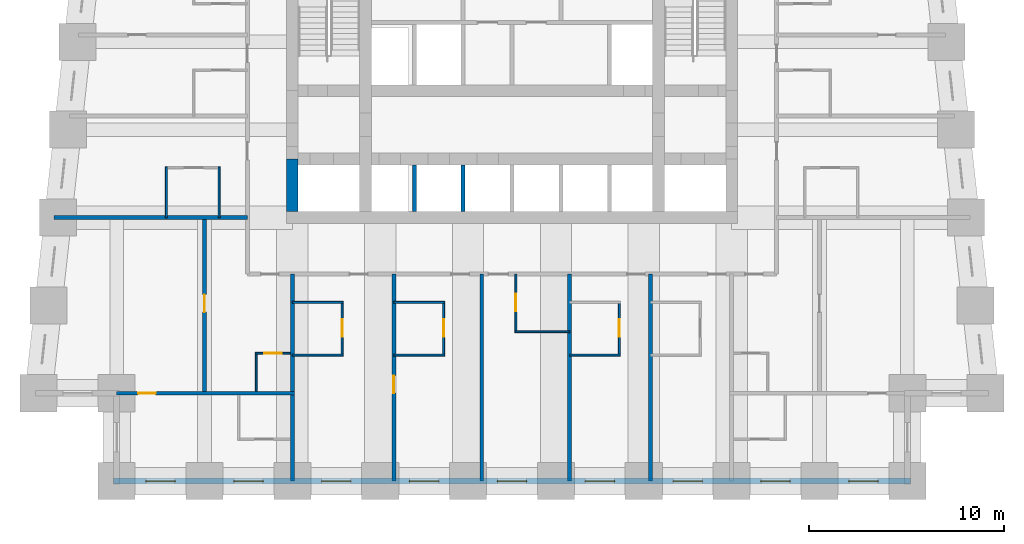
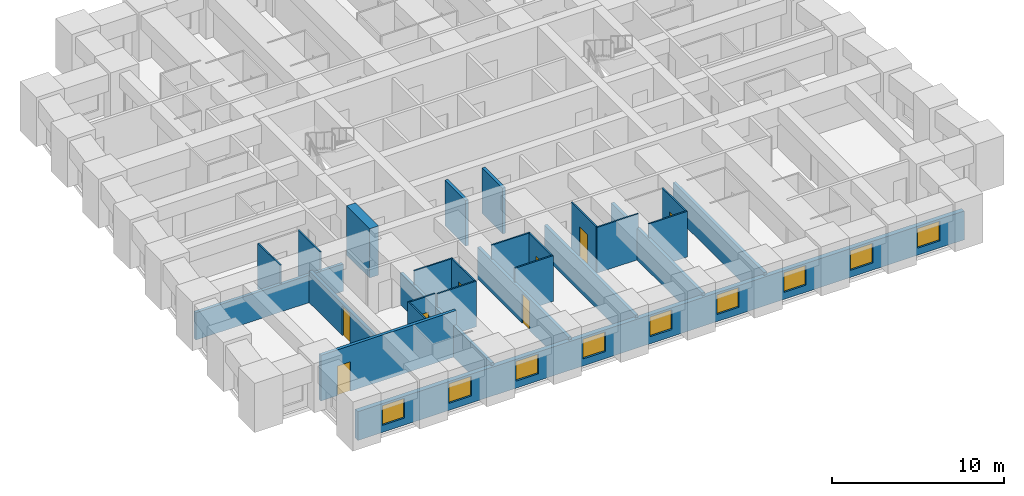
# One storey, part 2 of 8: 26 walls, 9 windows, 8 doors, 17 openings.
"""IFC4 building model written with IfcOpenShell, lengths in metres."""

from ifc_helpers import new_model, si_unit, direction, frame, frame_2d, origin, place, context, subcontext, project, spatial, rectangle, extrude, material, layer, layer_set, type_object, element, fill, save


model = new_model("IFC4")

# Units and contexts
model_context = context("Model", 3, precision=1e-05, world=origin(), true_north=direction((0.0, 1.0)))
body_context = subcontext(model_context, "Body", "Model", "MODEL_VIEW")
ifc_project = project(units=[si_unit("LENGTHUNIT", "METRE"), si_unit("AREAUNIT", "SQUARE_METRE"), si_unit("VOLUMEUNIT", "CUBIC_METRE"), si_unit("PLANEANGLEUNIT", "RADIAN"), si_unit("MASSUNIT", "GRAM", prefix="KILO")], contexts=[model_context])

# Site, building, storey
site_placement = place(None, origin())
site = spatial("IfcSite", under=ifc_project, at=site_placement, CompositionType="ELEMENT")
building_placement = place(site_placement, origin())
building = spatial("IfcBuilding", under=site, at=building_placement, Name="Kilele Tower Hotel", CompositionType="ELEMENT")
storey_placement = place(building_placement, frame((0.0, 0.0, 47.199951171875)))
storey = spatial("IfcBuildingStorey", under=building, at=storey_placement, Name="L10", CompositionType="ELEMENT", Elevation=47.199951171875)

# Walls
ifc_material_1 = material(Name="Moisture-resistant board")
ifc_layer_1 = layer(ifc_material_1, 0.10009765625)
ifc_layer_set_1 = layer_set([ifc_layer_1], Name="Moisture-resistant board")
wall_type_1 = type_object("IfcWallType", Name="Bathroom partition 100", PredefinedType="PLUMBINGWALL", material=ifc_layer_set_1)
for number, where, z_axis, x_axis, name in (
    (1, (13.5, 9.14990234375, 0.0), (0.0, 0.0, 1.0), (1.0, 0.0, 0.0), "Bathroom partition 100 L10"),
    (2, (13.5, 6.449951171875, 0.0), (0.0, 0.0, 1.0), (1.0, 0.0, 0.0), "Bathroom partition 100 L10"),
):
    element("IfcWall", number, at=place(storey_placement, frame(where, z_axis=z_axis, x_axis=x_axis)), inside=storey, type_object=wall_type_1, Name=name, PredefinedType="PLUMBINGWALL", context=body_context, shape_type="SweptSolid", body=[
        extrude(rectangle(XDim=2.60009765625, YDim=0.10009765625, at=frame_2d((1.300048828125, 0.0))), origin(), (0.0, 0.0, 1.0), 3.25),
    ])

# Wall, opening, door
wall_1_placement = place(storey_placement, frame((16.050048828125, 9.199951171875, 0.0), z_axis=(0.0, 0.0, 1.0), x_axis=(0.0, -1.0, 0.0)))
wall_1 = element("IfcWall", 3, at=wall_1_placement, inside=storey, type_object=wall_type_1, Name="Bathroom partition 100 L10", PredefinedType="PLUMBINGWALL", context=body_context, shape_type="SweptSolid", body=[
    extrude(rectangle(XDim=2.800048828125, YDim=0.10009765625, at=frame_2d((1.39990234375, 0.0))), origin(), (0.0, 0.0, 1.0), 3.25),
])
opening_1_placement = place(wall_1_placement, frame((0.89990234375, 0.0, 0.0)))
opening_1 = element("IfcOpeningElement", 4, at=opening_1_placement, cuts=wall_1, Name="Opening D2A", PredefinedType="OPENING", context=body_context, shape_type="SweptSolid", body=[
    extrude(rectangle(XDim=0.89990234375, YDim=2.10009765625, at=frame_2d((0.449951171875, 1.050048828125))), frame((0.0, 0.06005859375, 0.0), z_axis=(0.0, -1.0, 0.0), x_axis=(1.0, 0.0, 0.0)), (0.0, 0.0, 1.0), 0.1201171875),
])
ifc_material_2 = material(Name="Timber door leaf in hardwood frame", Category="wood")
door_type_1 = type_object("IfcDoorType", Name="Bathroom door 900", OperationType="SINGLE_SWING_LEFT", PredefinedType="DOOR", material=ifc_material_2)
door_1_placement = place(opening_1_placement, origin())
door_1 = element("IfcDoor", 5, at=door_1_placement, inside=storey, type_object=door_type_1, Name="Bathroom door 1001B", OperationType="SINGLE_SWING_LEFT", OverallHeight=2.10009765625, OverallWidth=0.89990234375, PredefinedType="DOOR", context=body_context, shape_type="SweptSolid", body=[
    extrude(rectangle(XDim=0.89990234375, YDim=2.10009765625, at=frame_2d((0.449951171875, 1.050048828125))), frame((0.0, 0.02490234375, 0.0), z_axis=(0.0, -1.0, 0.0), x_axis=(1.0, 0.0, 0.0)), (0.0, 0.0, 1.0), 0.050048828125),
])
fill(opening_1, door_1)

# Walls
for number, where, z_axis, x_axis, name in (
    (6, (18.699951171875, 9.14990234375, 0.0), (0.0, 0.0, 1.0), (1.0, 0.0, 0.0), "Bathroom partition 100 L10"),
    (7, (18.699951171875, 6.449951171875, 0.0), (0.0, 0.0, 1.0), (1.0, 0.0, 0.0), "Bathroom partition 100 L10"),
):
    element("IfcWall", number, at=place(storey_placement, frame(where, z_axis=z_axis, x_axis=x_axis)), inside=storey, type_object=wall_type_1, Name=name, PredefinedType="PLUMBINGWALL", context=body_context, shape_type="SweptSolid", body=[
        extrude(rectangle(XDim=2.60009765625, YDim=0.10009765625, at=frame_2d((1.300048828125, 0.0))), origin(), (0.0, 0.0, 1.0), 3.25),
    ])

# Wall, opening, door
wall_2_placement = place(storey_placement, frame((21.25, 9.199951171875, 0.0), z_axis=(0.0, 0.0, 1.0), x_axis=(0.0, -1.0, 0.0)))
wall_2 = element("IfcWall", 8, at=wall_2_placement, inside=storey, type_object=wall_type_1, Name="Bathroom partition 100 L10", PredefinedType="PLUMBINGWALL", context=body_context, shape_type="SweptSolid", body=[
    extrude(rectangle(XDim=2.800048828125, YDim=0.10009765625, at=frame_2d((1.39990234375, 0.0))), origin(), (0.0, 0.0, 1.0), 3.25),
])
opening_2_placement = place(wall_2_placement, frame((0.89990234375, 0.0, 0.0)))
opening_2 = element("IfcOpeningElement", 9, at=opening_2_placement, cuts=wall_2, Name="Opening D2A", PredefinedType="OPENING", context=body_context, shape_type="SweptSolid", body=[
    extrude(rectangle(XDim=0.89990234375, YDim=2.10009765625, at=frame_2d((0.449951171875, 1.050048828125))), frame((0.0, 0.06005859375, 0.0), z_axis=(0.0, -1.0, 0.0), x_axis=(1.0, 0.0, 0.0)), (0.0, 0.0, 1.0), 0.1201171875),
])
door_2_placement = place(opening_2_placement, origin())
door_2 = element("IfcDoor", 10, at=door_2_placement, inside=storey, type_object=door_type_1, Name="Bathroom door 1002B", OperationType="SINGLE_SWING_LEFT", OverallHeight=2.10009765625, OverallWidth=0.89990234375, PredefinedType="DOOR", context=body_context, shape_type="SweptSolid", body=[
    extrude(rectangle(XDim=0.89990234375, YDim=2.10009765625, at=frame_2d((0.449951171875, 1.050048828125))), frame((0.0, 0.02490234375, 0.0), z_axis=(0.0, -1.0, 0.0), x_axis=(1.0, 0.0, 0.0)), (0.0, 0.0, 1.0), 0.050048828125),
])
fill(opening_2, door_2)

# Wall
wall_3_placement = place(storey_placement, frame((24.89990234375, 7.64990234375, 0.0), z_axis=(0.0, 0.0, 1.0), x_axis=(1.0, 0.0, 0.0)))
element("IfcWall", 11, at=wall_3_placement, inside=storey, type_object=wall_type_1, Name="Bathroom partition 100 L10", PredefinedType="PLUMBINGWALL", context=body_context, shape_type="SweptSolid", body=[
    extrude(rectangle(XDim=2.800048828125, YDim=0.10009765625, at=frame_2d((1.39990234375, 0.0))), origin(), (0.0, 0.0, 1.0), 3.25),
])

# Wall, opening, door
wall_4_placement = place(storey_placement, frame((24.949951171875, 10.60009765625, 0.0), z_axis=(0.0, 0.0, 1.0), x_axis=(0.0, -1.0, 0.0)))
wall_4 = element("IfcWall", 12, at=wall_4_placement, inside=storey, type_object=wall_type_1, Name="Bathroom partition 100 L10", PredefinedType="PLUMBINGWALL", context=body_context, shape_type="SweptSolid", body=[
    extrude(rectangle(XDim=3.0, YDim=0.10009765625, at=frame_2d((1.5, 0.0))), origin(), (0.0, 0.0, 1.0), 3.25),
])
opening_3_placement = place(wall_4_placement, frame((1.89990234375, 0.0, 0.0), z_axis=(0.0, 0.0, 1.0), x_axis=(-1.0, 0.0, 0.0)))
opening_3 = element("IfcOpeningElement", 13, at=opening_3_placement, cuts=wall_4, Name="Opening D2A", PredefinedType="OPENING", context=body_context, shape_type="SweptSolid", body=[
    extrude(rectangle(XDim=0.89990234375, YDim=2.10009765625, at=frame_2d((0.449951171875, 1.050048828125))), frame((0.0, 0.06005859375, 0.0), z_axis=(0.0, -1.0, 0.0), x_axis=(1.0, 0.0, 0.0)), (0.0, 0.0, 1.0), 0.1201171875),
])
door_3_placement = place(opening_3_placement, origin())
door_3 = element("IfcDoor", 14, at=door_3_placement, inside=storey, type_object=door_type_1, Name="Bathroom door 1003B", OperationType="SINGLE_SWING_RIGHT", OverallHeight=2.10009765625, OverallWidth=0.89990234375, PredefinedType="DOOR", context=body_context, shape_type="SweptSolid", body=[
    extrude(rectangle(XDim=0.89990234375, YDim=2.10009765625, at=frame_2d((0.449951171875, 1.050048828125))), frame((0.0, 0.02490234375, 0.0), z_axis=(0.0, -1.0, 0.0), x_axis=(1.0, 0.0, 0.0)), (0.0, 0.0, 1.0), 0.050048828125),
])
fill(opening_3, door_3)

# Wall
wall_5_placement = place(storey_placement, frame((27.699951171875, 6.449951171875, 0.0), z_axis=(0.0, 0.0, 1.0), x_axis=(1.0, 0.0, 0.0)))
element("IfcWall", 15, at=wall_5_placement, inside=storey, type_object=wall_type_1, Name="Bathroom partition 100 L10", PredefinedType="PLUMBINGWALL", context=body_context, shape_type="SweptSolid", body=[
    extrude(rectangle(XDim=2.60009765625, YDim=0.10009765625, at=frame_2d((1.300048828125, 0.0))), origin(), (0.0, 0.0, 1.0), 3.25),
])

# Wall, opening, door
wall_6_placement = place(storey_placement, frame((30.25, 9.199951171875, 0.0), z_axis=(0.0, 0.0, 1.0), x_axis=(0.0, -1.0, 0.0)))
wall_6 = element("IfcWall", 16, at=wall_6_placement, inside=storey, type_object=wall_type_1, Name="Bathroom partition 100 L10", PredefinedType="PLUMBINGWALL", context=body_context, shape_type="SweptSolid", body=[
    extrude(rectangle(XDim=2.800048828125, YDim=0.10009765625, at=frame_2d((1.39990234375, 0.0))), origin(), (0.0, 0.0, 1.0), 3.25),
])
opening_4_placement = place(wall_6_placement, frame((0.89990234375, 0.0, 0.0)))
opening_4 = element("IfcOpeningElement", 17, at=opening_4_placement, cuts=wall_6, Name="Opening D2A", PredefinedType="OPENING", context=body_context, shape_type="SweptSolid", body=[
    extrude(rectangle(XDim=0.89990234375, YDim=2.10009765625, at=frame_2d((0.449951171875, 1.050048828125))), frame((0.0, 0.06005859375, 0.0), z_axis=(0.0, -1.0, 0.0), x_axis=(1.0, 0.0, 0.0)), (0.0, 0.0, 1.0), 0.1201171875),
])
door_4_placement = place(opening_4_placement, origin())
door_4 = element("IfcDoor", 18, at=door_4_placement, inside=storey, type_object=door_type_1, Name="Bathroom door 1004B", OperationType="SINGLE_SWING_LEFT", OverallHeight=2.10009765625, OverallWidth=0.89990234375, PredefinedType="DOOR", context=body_context, shape_type="SweptSolid", body=[
    extrude(rectangle(XDim=0.89990234375, YDim=2.10009765625, at=frame_2d((0.449951171875, 1.050048828125))), frame((0.0, 0.02490234375, 0.0), z_axis=(0.0, -1.0, 0.0), x_axis=(1.0, 0.0, 0.0)), (0.0, 0.0, 1.0), 0.050048828125),
])
fill(opening_4, door_4)

# Walls
for number, where, z_axis, x_axis, name in (
    (19, (9.75, 13.5, 0.0), (0.0, 0.0, 1.0), (0.0, 1.0, 0.0), "Bathroom partition 100 L10"),
    (20, (7.050048828125, 13.5, 0.0), (0.0, 0.0, 1.0), (0.0, 1.0, 0.0), "Bathroom partition 100 L10"),
):
    element("IfcWall", number, at=place(storey_placement, frame(where, z_axis=z_axis, x_axis=x_axis)), inside=storey, type_object=wall_type_1, Name=name, PredefinedType="PLUMBINGWALL", context=body_context, shape_type="SweptSolid", body=[
        extrude(rectangle(XDim=2.60009765625, YDim=0.10009765625, at=frame_2d((1.300048828125, 0.0))), origin(), (0.0, 0.0, 1.0), 3.25),
    ])
wall_7_placement = place(storey_placement, frame((11.64990234375, 4.60009765625, 0.0), z_axis=(0.0, 0.0, 1.0), x_axis=(0.0, 1.0, 0.0)))
element("IfcWall", 21, at=wall_7_placement, inside=storey, type_object=wall_type_1, Name="Bathroom partition 100 L10", PredefinedType="PLUMBINGWALL", context=body_context, shape_type="SweptSolid", body=[
    extrude(rectangle(XDim=2.0, YDim=0.10009765625, at=frame_2d((1.0, 0.0))), origin(), (0.0, 0.0, 1.0), 3.25),
])

# Wall, opening, door
wall_8_placement = place(storey_placement, frame((13.39990234375, 6.550048828125, 0.0), z_axis=(0.0, 0.0, 1.0), x_axis=(-1.0, 0.0, 0.0)))
wall_8 = element("IfcWall", 22, at=wall_8_placement, inside=storey, type_object=wall_type_1, Name="Bathroom partition 100 L10", PredefinedType="PLUMBINGWALL", context=body_context, shape_type="SweptSolid", body=[
    extrude(rectangle(XDim=1.7998046875, YDim=0.10009765625, at=frame_2d((0.89990234375, 0.0))), origin(), (0.0, 0.0, 1.0), 3.25),
])
opening_5_placement = place(wall_8_placement, frame((1.349853515625, 0.0, 0.0), z_axis=(0.0, 0.0, 1.0), x_axis=(-1.0, 0.0, 0.0)))
opening_5 = element("IfcOpeningElement", 23, at=opening_5_placement, cuts=wall_8, Name="Opening D2A", PredefinedType="OPENING", context=body_context, shape_type="SweptSolid", body=[
    extrude(rectangle(XDim=0.89990234375, YDim=2.10009765625, at=frame_2d((0.449951171875, 1.050048828125))), frame((0.0, 0.06005859375, 0.0), z_axis=(0.0, -1.0, 0.0), x_axis=(1.0, 0.0, 0.0)), (0.0, 0.0, 1.0), 0.1201171875),
])
door_5_placement = place(opening_5_placement, origin())
door_5 = element("IfcDoor", 24, at=door_5_placement, inside=storey, type_object=door_type_1, Name="Bathroom door 1017P", OperationType="SINGLE_SWING_RIGHT", OverallHeight=2.10009765625, OverallWidth=0.89990234375, PredefinedType="DOOR", context=body_context, shape_type="SweptSolid", body=[
    extrude(rectangle(XDim=0.89990234375, YDim=2.10009765625, at=frame_2d((0.449951171875, 1.050048828125))), frame((0.0, 0.02490234375, 0.0), z_axis=(0.0, -1.0, 0.0), x_axis=(1.0, 0.0, 0.0)), (0.0, 0.0, 1.0), 0.050048828125),
])
fill(opening_5, door_5)

# Wall
ifc_material_3 = material(Name="Concrete C60/75", Category="concrete")
ifc_layer_2 = layer(ifc_material_3, 0.60009765625)
ifc_layer_set_2 = layer_set([ifc_layer_2], Name="Concrete C60/75")
wall_type_2 = type_object("IfcWallType", Name="Core wall 600 C60/75", PredefinedType="SHEAR", material=ifc_layer_set_2)
wall_9_placement = place(storey_placement, frame((13.5, 16.5, 0.0), z_axis=(0.0, 0.0, 1.0), x_axis=(0.0, -1.0, 0.0)))
element("IfcWall", 25, at=wall_9_placement, inside=storey, type_object=wall_type_2, Name="Core wall W3 L10", PredefinedType="SHEAR", context=body_context, shape_type="SweptSolid", body=[
    extrude(rectangle(XDim=2.699951171875, YDim=0.60009765625, at=frame_2d((1.35009765625, 0.0))), origin(), (0.0, 0.0, 1.0), 3.5),
])

# Wall, opening, door
ifc_material_4 = material(Name="Blockwork, plastered both sides", Category="masonry")
ifc_layer_3 = layer(ifc_material_4, 0.199951171875)
ifc_layer_set_3 = layer_set([ifc_layer_3], Name="Blockwork, plastered both sides")
wall_type_3 = type_object("IfcWallType", Name="Partition wall 200", PredefinedType="PARTITIONING", material=ifc_layer_set_3)
wall_10_placement = place(storey_placement, frame((9.0, 4.60009765625, 0.0), z_axis=(0.0, 0.0, 1.0), x_axis=(0.0, 1.0, 0.0)))
wall_10 = element("IfcWall", 26, at=wall_10_placement, inside=storey, type_object=wall_type_3, Name="Partition wall 200 L10", PredefinedType="PARTITIONING", context=body_context, shape_type="SweptSolid", body=[
    extrude(rectangle(XDim=8.7998046875, YDim=0.199951171875, at=frame_2d((4.39990234375, 0.0))), origin(), (0.0, 0.0, 1.0), 2.25),
])
opening_6_placement = place(wall_10_placement, frame((4.050048828125, 0.0, 0.0)))
opening_6 = element("IfcOpeningElement", 27, at=opening_6_placement, cuts=wall_10, Name="Opening D3", PredefinedType="OPENING", context=body_context, shape_type="SweptSolid", body=[
    extrude(rectangle(XDim=0.89990234375, YDim=2.10009765625, at=frame_2d((0.449951171875, 1.050048828125))), frame((0.0, 0.10986328125, 0.0), z_axis=(0.0, -1.0, 0.0), x_axis=(1.0, 0.0, 0.0)), (0.0, 0.0, 1.0), 0.219970703125),
])
ifc_material_5 = material(Name="Timber door leaf in hardwood frame", Category="wood")
door_type_2 = type_object("IfcDoorType", Name="Suite internal door 900", OperationType="SINGLE_SWING_LEFT", PredefinedType="DOOR", material=ifc_material_5)
door_6_placement = place(opening_6_placement, origin())
door_6 = element("IfcDoor", 28, at=door_6_placement, inside=storey, type_object=door_type_2, Name="Suite door 1018", OperationType="SINGLE_SWING_RIGHT", OverallHeight=2.10009765625, OverallWidth=0.89990234375, PredefinedType="DOOR", context=body_context, shape_type="SweptSolid", body=[
    extrude(rectangle(XDim=0.89990234375, YDim=2.10009765625, at=frame_2d((0.449951171875, 1.050048828125))), frame((0.0, 0.02490234375, 0.0), z_axis=(0.0, -1.0, 0.0), x_axis=(1.0, 0.0, 0.0)), (0.0, 0.0, 1.0), 0.050048828125),
])
fill(opening_6, door_6)

ifc_material_6 = material(Name="Blockwork, plastered both sides", Category="masonry")
ifc_layer_4 = layer(ifc_material_6, 0.199951171875)
ifc_layer_set_4 = layer_set([ifc_layer_4], Name="Blockwork, plastered both sides")
wall_type_4 = type_object("IfcWallType", Name="Party wall 200", PredefinedType="PARTITIONING", material=ifc_layer_set_4)
wall_11_placement = place(storey_placement, frame((18.699951171875, 10.60009765625, 0.0), z_axis=(0.0, 0.0, 1.0), x_axis=(0.0, -1.0, 0.0)))
wall_11 = element("IfcWall", 29, at=wall_11_placement, inside=storey, type_object=wall_type_4, Name="Party wall 200 L10", PredefinedType="PARTITIONING", context=body_context, shape_type="SweptSolid", body=[
    extrude(rectangle(XDim=10.60009765625, YDim=0.199951171875, at=frame_2d((5.300048828125, 0.0))), origin(), (0.0, 0.0, 1.0), 2.25),
])
opening_7_placement = place(wall_11_placement, frame((5.199951171875, 0.0, 0.0)))
opening_7 = element("IfcOpeningElement", 30, at=opening_7_placement, cuts=wall_11, Name="Opening D3C", PredefinedType="OPENING", context=body_context, shape_type="SweptSolid", body=[
    extrude(rectangle(XDim=0.89990234375, YDim=2.10009765625, at=frame_2d((0.449951171875, 1.050048828125))), frame((0.0, 0.10986328125, 0.0), z_axis=(0.0, -1.0, 0.0), x_axis=(1.0, 0.0, 0.0)), (0.0, 0.0, 1.0), 0.219970703125),
])
ifc_material_7 = material(Name="Timber door leaf in hardwood frame", Category="wood")
door_type_3 = type_object("IfcDoorType", Name="Connecting door 900", OperationType="SINGLE_SWING_LEFT", PredefinedType="DOOR", material=ifc_material_7)
door_7_placement = place(opening_7_placement, origin())
door_7 = element("IfcDoor", 31, at=door_7_placement, inside=storey, type_object=door_type_3, Name="Connecting door 1002", OperationType="SINGLE_SWING_LEFT", OverallHeight=2.10009765625, OverallWidth=0.89990234375, PredefinedType="DOOR", context=body_context, shape_type="SweptSolid", body=[
    extrude(rectangle(XDim=0.89990234375, YDim=2.10009765625, at=frame_2d((0.449951171875, 1.050048828125))), frame((0.0, 0.02490234375, 0.0), z_axis=(0.0, -1.0, 0.0), x_axis=(1.0, 0.0, 0.0)), (0.0, 0.0, 1.0), 0.050048828125),
])
fill(opening_7, door_7)

# Walls
for number, where, z_axis, x_axis, name in (
    (32, (23.199951171875, 10.60009765625, 0.0), (0.0, 0.0, 1.0), (0.0, -1.0, 0.0), "Party wall 200 L10"),
    (33, (27.699951171875, 10.60009765625, 0.0), (0.0, 0.0, 1.0), (0.0, -1.0, 0.0), "Party wall 200 L10"),
    (34, (31.85009765625, 10.60009765625, 0.0), (0.0, 0.0, 1.0), (0.0, -1.0, 0.0), "Party wall 200 L10"),
):
    element("IfcWall", number, at=place(storey_placement, frame(where, z_axis=z_axis, x_axis=x_axis)), inside=storey, type_object=wall_type_4, Name=name, PredefinedType="PARTITIONING", context=body_context, shape_type="SweptSolid", body=[
        extrude(rectangle(XDim=10.60009765625, YDim=0.199951171875, at=frame_2d((5.300048828125, 0.0))), origin(), (0.0, 0.0, 1.0), 2.25),
    ])
wall_12_placement = place(storey_placement, frame((11.199951171875, 13.5, 0.0), z_axis=(0.0, 0.0, 1.0), x_axis=(-1.0, 0.0, 0.0)))
element("IfcWall", 35, at=wall_12_placement, inside=storey, type_object=wall_type_4, Name="Party wall 200 L10", PredefinedType="PARTITIONING", context=body_context, shape_type="SweptSolid", body=[
    extrude(rectangle(XDim=9.921142578125, YDim=0.199951171875, at=frame_2d((4.96044921875, 0.0))), origin(), (0.0, 0.0, 1.0), 1.949951171875),
])
wall_13_placement = place(storey_placement, frame((13.5, 10.60009765625, 0.0), z_axis=(0.0, 0.0, 1.0), x_axis=(0.0, -1.0, 0.0)))
element("IfcWall", 36, at=wall_13_placement, inside=storey, type_object=wall_type_4, Name="Party wall 200 L10", PredefinedType="PARTITIONING", context=body_context, shape_type="SweptSolid", body=[
    extrude(rectangle(XDim=10.60009765625, YDim=0.199951171875, at=frame_2d((5.300048828125, 0.0))), origin(), (0.0, 0.0, 1.0), 2.25),
])

# Wall, opening, door
wall_14_placement = place(storey_placement, frame((13.60009765625, 4.5, 0.0), z_axis=(0.0, 0.0, 1.0), x_axis=(-1.0, 0.0, 0.0)))
wall_14 = element("IfcWall", 37, at=wall_14_placement, inside=storey, type_object=wall_type_4, Name="Party wall 200 L10", PredefinedType="PARTITIONING", context=body_context, shape_type="SweptSolid", body=[
    extrude(rectangle(XDim=9.10009765625, YDim=0.199951171875, at=frame_2d((4.550048828125, 0.0))), origin(), (0.0, 0.0, 1.0), 3.25),
])
opening_8_placement = place(wall_14_placement, frame((7.10009765625, 0.0, 0.0)))
opening_8 = element("IfcOpeningElement", 38, at=opening_8_placement, cuts=wall_14, Name="Opening D3", PredefinedType="OPENING", context=body_context, shape_type="SweptSolid", body=[
    extrude(rectangle(XDim=0.89990234375, YDim=2.10009765625, at=frame_2d((0.449951171875, 1.050048828125))), frame((0.0, 0.10986328125, 0.0), z_axis=(0.0, -1.0, 0.0), x_axis=(1.0, 0.0, 0.0)), (0.0, 0.0, 1.0), 0.219970703125),
])
door_8_placement = place(opening_8_placement, origin())
door_8 = element("IfcDoor", 39, at=door_8_placement, inside=storey, type_object=door_type_2, Name="Suite door 1019", OperationType="SINGLE_SWING_RIGHT", OverallHeight=2.10009765625, OverallWidth=0.89990234375, PredefinedType="DOOR", context=body_context, shape_type="SweptSolid", body=[
    extrude(rectangle(XDim=0.89990234375, YDim=2.10009765625, at=frame_2d((0.449951171875, 1.050048828125))), frame((0.0, 0.02490234375, 0.0), z_axis=(0.0, -1.0, 0.0), x_axis=(1.0, 0.0, 0.0)), (0.0, 0.0, 1.0), 0.050048828125),
])
fill(opening_8, door_8)

# Wall, openings, windows
ifc_material_8 = material(Name="Concrete C40/50 precast", Category="concrete")
ifc_layer_5 = layer(ifc_material_8, 0.260009765625, Name="Precast backing", Category="LoadBearing")
ifc_material_9 = material(Name="Reconstituted stone finish", Category="masonry")
ifc_layer_6 = layer(ifc_material_9, 0.0400390625, Name="Face mix", Category="Finish")
ifc_layer_set_5 = layer_set([ifc_layer_5, ifc_layer_6], Name="Precast concrete C40/50, reconstituted stone finish")
wall_type_5 = type_object("IfcWallType", Name="Precast stone facade wall 300", PredefinedType="STANDARD", material=ifc_layer_set_5)
wall_15_placement = place(storey_placement, frame((4.35009765625, 0.0, 0.0), z_axis=(0.0, 0.0, 1.0), x_axis=(1.0, 0.0, 0.0)))
wall_15 = element("IfcWall", 40, at=wall_15_placement, inside=storey, type_object=wall_type_5, Name="Facade wall L10 edge 3", PredefinedType="STANDARD", context=body_context, shape_type="SweptSolid", body=[
    extrude(rectangle(XDim=40.7998046875, YDim=0.300048828125, at=frame_2d((20.39990234375, 0.0))), origin(), (0.0, 0.0, 1.0), 2.050048828125),
])
opening_9_placement = place(wall_15_placement, frame((1.64990234375, 0.0, 0.5)))
opening_9 = element("IfcOpeningElement", 41, at=opening_9_placement, cuts=wall_15, Name="Opening W1", PredefinedType="OPENING", context=body_context, shape_type="SweptSolid", body=[
    extrude(rectangle(XDim=1.5, YDim=1.39990234375, at=frame_2d((0.75, 0.699951171875))), frame((0.0, 0.159912109375, 0.0), z_axis=(0.0, -1.0, 0.0), x_axis=(1.0, 0.0, 0.0)), (0.0, 0.0, 1.0), 0.320068359375),
])
opening_10_placement = place(wall_15_placement, frame((6.14990234375, 0.0, 0.5)))
opening_10 = element("IfcOpeningElement", 42, at=opening_10_placement, cuts=wall_15, Name="Opening W1", PredefinedType="OPENING", context=body_context, shape_type="SweptSolid", body=[
    extrude(rectangle(XDim=1.5, YDim=1.39990234375, at=frame_2d((0.75, 0.699951171875))), frame((0.0, 0.159912109375, 0.0), z_axis=(0.0, -1.0, 0.0), x_axis=(1.0, 0.0, 0.0)), (0.0, 0.0, 1.0), 0.320068359375),
])
opening_11_placement = place(wall_15_placement, frame((10.64990234375, 0.0, 0.5)))
opening_11 = element("IfcOpeningElement", 43, at=opening_11_placement, cuts=wall_15, Name="Opening W1", PredefinedType="OPENING", context=body_context, shape_type="SweptSolid", body=[
    extrude(rectangle(XDim=1.5, YDim=1.39990234375, at=frame_2d((0.75, 0.699951171875))), frame((0.0, 0.159912109375, 0.0), z_axis=(0.0, -1.0, 0.0), x_axis=(1.0, 0.0, 0.0)), (0.0, 0.0, 1.0), 0.320068359375),
])
opening_12_placement = place(wall_15_placement, frame((15.14990234375, 0.0, 0.5)))
opening_12 = element("IfcOpeningElement", 44, at=opening_12_placement, cuts=wall_15, Name="Opening W1", PredefinedType="OPENING", context=body_context, shape_type="SweptSolid", body=[
    extrude(rectangle(XDim=1.5, YDim=1.39990234375, at=frame_2d((0.75, 0.699951171875))), frame((0.0, 0.159912109375, 0.0), z_axis=(0.0, -1.0, 0.0), x_axis=(1.0, 0.0, 0.0)), (0.0, 0.0, 1.0), 0.320068359375),
])
opening_13_placement = place(wall_15_placement, frame((19.64990234375, 0.0, 0.5)))
opening_13 = element("IfcOpeningElement", 45, at=opening_13_placement, cuts=wall_15, Name="Opening W1", PredefinedType="OPENING", context=body_context, shape_type="SweptSolid", body=[
    extrude(rectangle(XDim=1.5, YDim=1.39990234375, at=frame_2d((0.75, 0.699951171875))), frame((0.0, 0.159912109375, 0.0), z_axis=(0.0, -1.0, 0.0), x_axis=(1.0, 0.0, 0.0)), (0.0, 0.0, 1.0), 0.320068359375),
])
opening_14_placement = place(wall_15_placement, frame((24.14990234375, 0.0, 0.5)))
opening_14 = element("IfcOpeningElement", 46, at=opening_14_placement, cuts=wall_15, Name="Opening W1", PredefinedType="OPENING", context=body_context, shape_type="SweptSolid", body=[
    extrude(rectangle(XDim=1.5, YDim=1.39990234375, at=frame_2d((0.75, 0.699951171875))), frame((0.0, 0.159912109375, 0.0), z_axis=(0.0, -1.0, 0.0), x_axis=(1.0, 0.0, 0.0)), (0.0, 0.0, 1.0), 0.320068359375),
])
opening_15_placement = place(wall_15_placement, frame((28.64990234375, 0.0, 0.5)))
opening_15 = element("IfcOpeningElement", 47, at=opening_15_placement, cuts=wall_15, Name="Opening W1", PredefinedType="OPENING", context=body_context, shape_type="SweptSolid", body=[
    extrude(rectangle(XDim=1.5, YDim=1.39990234375, at=frame_2d((0.75, 0.699951171875))), frame((0.0, 0.159912109375, 0.0), z_axis=(0.0, -1.0, 0.0), x_axis=(1.0, 0.0, 0.0)), (0.0, 0.0, 1.0), 0.320068359375),
])
opening_16_placement = place(wall_15_placement, frame((33.14990234375, 0.0, 0.5)))
opening_16 = element("IfcOpeningElement", 48, at=opening_16_placement, cuts=wall_15, Name="Opening W1", PredefinedType="OPENING", context=body_context, shape_type="SweptSolid", body=[
    extrude(rectangle(XDim=1.5, YDim=1.39990234375, at=frame_2d((0.75, 0.699951171875))), frame((0.0, 0.159912109375, 0.0), z_axis=(0.0, -1.0, 0.0), x_axis=(1.0, 0.0, 0.0)), (0.0, 0.0, 1.0), 0.320068359375),
])
opening_17_placement = place(wall_15_placement, frame((37.64990234375, 0.0, 0.5)))
opening_17 = element("IfcOpeningElement", 49, at=opening_17_placement, cuts=wall_15, Name="Opening W1", PredefinedType="OPENING", context=body_context, shape_type="SweptSolid", body=[
    extrude(rectangle(XDim=1.5, YDim=1.39990234375, at=frame_2d((0.75, 0.699951171875))), frame((0.0, 0.159912109375, 0.0), z_axis=(0.0, -1.0, 0.0), x_axis=(1.0, 0.0, 0.0)), (0.0, 0.0, 1.0), 0.320068359375),
])
ifc_material_10 = material(Name="Aluminium frame, clear double glazing", Category="aluminium")
window_type = type_object("IfcWindowType", Name="Window W1 1500 x 1400", PartitioningType="SINGLE_PANEL", PredefinedType="WINDOW", material=ifc_material_10)
window_1_placement = place(opening_9_placement, origin())
window_1 = element("IfcWindow", 50, at=window_1_placement, inside=storey, type_object=window_type, Name="Window L10", OverallHeight=1.39990234375, OverallWidth=1.5, PartitioningType="SINGLE_PANEL", PredefinedType="WINDOW", context=body_context, shape_type="SweptSolid", body=[
    extrude(rectangle(XDim=1.5, YDim=1.39990234375, at=frame_2d((0.75, 0.699951171875))), frame((0.0, 0.030029296875, 0.0), z_axis=(0.0, -1.0, 0.0), x_axis=(1.0, 0.0, 0.0)), (0.0, 0.0, 1.0), 0.06005859375),
])
fill(opening_9, window_1)
window_2_placement = place(opening_10_placement, origin())
window_2 = element("IfcWindow", 51, at=window_2_placement, inside=storey, type_object=window_type, Name="Window L10", OverallHeight=1.39990234375, OverallWidth=1.5, PartitioningType="SINGLE_PANEL", PredefinedType="WINDOW", context=body_context, shape_type="SweptSolid", body=[
    extrude(rectangle(XDim=1.5, YDim=1.39990234375, at=frame_2d((0.75, 0.699951171875))), frame((0.0, 0.030029296875, 0.0), z_axis=(0.0, -1.0, 0.0), x_axis=(1.0, 0.0, 0.0)), (0.0, 0.0, 1.0), 0.06005859375),
])
fill(opening_10, window_2)
window_3_placement = place(opening_11_placement, origin())
window_3 = element("IfcWindow", 52, at=window_3_placement, inside=storey, type_object=window_type, Name="Window L10", OverallHeight=1.39990234375, OverallWidth=1.5, PartitioningType="SINGLE_PANEL", PredefinedType="WINDOW", context=body_context, shape_type="SweptSolid", body=[
    extrude(rectangle(XDim=1.5, YDim=1.39990234375, at=frame_2d((0.75, 0.699951171875))), frame((0.0, 0.030029296875, 0.0), z_axis=(0.0, -1.0, 0.0), x_axis=(1.0, 0.0, 0.0)), (0.0, 0.0, 1.0), 0.06005859375),
])
fill(opening_11, window_3)
window_4_placement = place(opening_12_placement, origin())
window_4 = element("IfcWindow", 53, at=window_4_placement, inside=storey, type_object=window_type, Name="Window L10", OverallHeight=1.39990234375, OverallWidth=1.5, PartitioningType="SINGLE_PANEL", PredefinedType="WINDOW", context=body_context, shape_type="SweptSolid", body=[
    extrude(rectangle(XDim=1.5, YDim=1.39990234375, at=frame_2d((0.75, 0.699951171875))), frame((0.0, 0.030029296875, 0.0), z_axis=(0.0, -1.0, 0.0), x_axis=(1.0, 0.0, 0.0)), (0.0, 0.0, 1.0), 0.06005859375),
])
fill(opening_12, window_4)
window_5_placement = place(opening_13_placement, origin())
window_5 = element("IfcWindow", 54, at=window_5_placement, inside=storey, type_object=window_type, Name="Window L10", OverallHeight=1.39990234375, OverallWidth=1.5, PartitioningType="SINGLE_PANEL", PredefinedType="WINDOW", context=body_context, shape_type="SweptSolid", body=[
    extrude(rectangle(XDim=1.5, YDim=1.39990234375, at=frame_2d((0.75, 0.699951171875))), frame((0.0, 0.030029296875, 0.0), z_axis=(0.0, -1.0, 0.0), x_axis=(1.0, 0.0, 0.0)), (0.0, 0.0, 1.0), 0.06005859375),
])
fill(opening_13, window_5)
window_6_placement = place(opening_14_placement, origin())
window_6 = element("IfcWindow", 55, at=window_6_placement, inside=storey, type_object=window_type, Name="Window L10", OverallHeight=1.39990234375, OverallWidth=1.5, PartitioningType="SINGLE_PANEL", PredefinedType="WINDOW", context=body_context, shape_type="SweptSolid", body=[
    extrude(rectangle(XDim=1.5, YDim=1.39990234375, at=frame_2d((0.75, 0.699951171875))), frame((0.0, 0.030029296875, 0.0), z_axis=(0.0, -1.0, 0.0), x_axis=(1.0, 0.0, 0.0)), (0.0, 0.0, 1.0), 0.06005859375),
])
fill(opening_14, window_6)
window_7_placement = place(opening_15_placement, origin())
window_7 = element("IfcWindow", 56, at=window_7_placement, inside=storey, type_object=window_type, Name="Window L10", OverallHeight=1.39990234375, OverallWidth=1.5, PartitioningType="SINGLE_PANEL", PredefinedType="WINDOW", context=body_context, shape_type="SweptSolid", body=[
    extrude(rectangle(XDim=1.5, YDim=1.39990234375, at=frame_2d((0.75, 0.699951171875))), frame((0.0, 0.030029296875, 0.0), z_axis=(0.0, -1.0, 0.0), x_axis=(1.0, 0.0, 0.0)), (0.0, 0.0, 1.0), 0.06005859375),
])
fill(opening_15, window_7)
window_8_placement = place(opening_16_placement, origin())
window_8 = element("IfcWindow", 57, at=window_8_placement, inside=storey, type_object=window_type, Name="Window L10", OverallHeight=1.39990234375, OverallWidth=1.5, PartitioningType="SINGLE_PANEL", PredefinedType="WINDOW", context=body_context, shape_type="SweptSolid", body=[
    extrude(rectangle(XDim=1.5, YDim=1.39990234375, at=frame_2d((0.75, 0.699951171875))), frame((0.0, 0.030029296875, 0.0), z_axis=(0.0, -1.0, 0.0), x_axis=(1.0, 0.0, 0.0)), (0.0, 0.0, 1.0), 0.06005859375),
])
fill(opening_16, window_8)
window_9_placement = place(opening_17_placement, origin())
window_9 = element("IfcWindow", 58, at=window_9_placement, inside=storey, type_object=window_type, Name="Window L10", OverallHeight=1.39990234375, OverallWidth=1.5, PartitioningType="SINGLE_PANEL", PredefinedType="WINDOW", context=body_context, shape_type="SweptSolid", body=[
    extrude(rectangle(XDim=1.5, YDim=1.39990234375, at=frame_2d((0.75, 0.699951171875))), frame((0.0, 0.030029296875, 0.0), z_axis=(0.0, -1.0, 0.0), x_axis=(1.0, 0.0, 0.0)), (0.0, 0.0, 1.0), 0.06005859375),
])
fill(opening_17, window_9)

# Walls
ifc_material_11 = material(Name="Blockwork, fire-rated", Category="masonry")
ifc_layer_7 = layer(ifc_material_11, 0.199951171875)
ifc_layer_set_6 = layer_set([ifc_layer_7], Name="Blockwork, fire-rated")
wall_type_6 = type_object("IfcWallType", Name="Shaft wall 200", PredefinedType="PARTITIONING", material=ifc_layer_set_6)
for number, where, z_axis, x_axis, name in (
    (59, (19.75, 13.800048828125, 0.0), (0.0, 0.0, 1.0), (0.0, 1.0, 0.0), "Shaft wall 200 L10"),
    (60, (22.25, 13.800048828125, 0.0), (0.0, 0.0, 1.0), (0.0, 1.0, 0.0), "Shaft wall 200 L10"),
):
    element("IfcWall", number, at=place(storey_placement, frame(where, z_axis=z_axis, x_axis=x_axis)), inside=storey, type_object=wall_type_6, Name=name, PredefinedType="PARTITIONING", context=body_context, shape_type="SweptSolid", body=[
        extrude(rectangle(XDim=2.39990234375, YDim=0.199951171875, at=frame_2d((1.199951171875, 0.0))), origin(), (0.0, 0.0, 1.0), 3.25),
    ])

save(model, "model.ifc")
